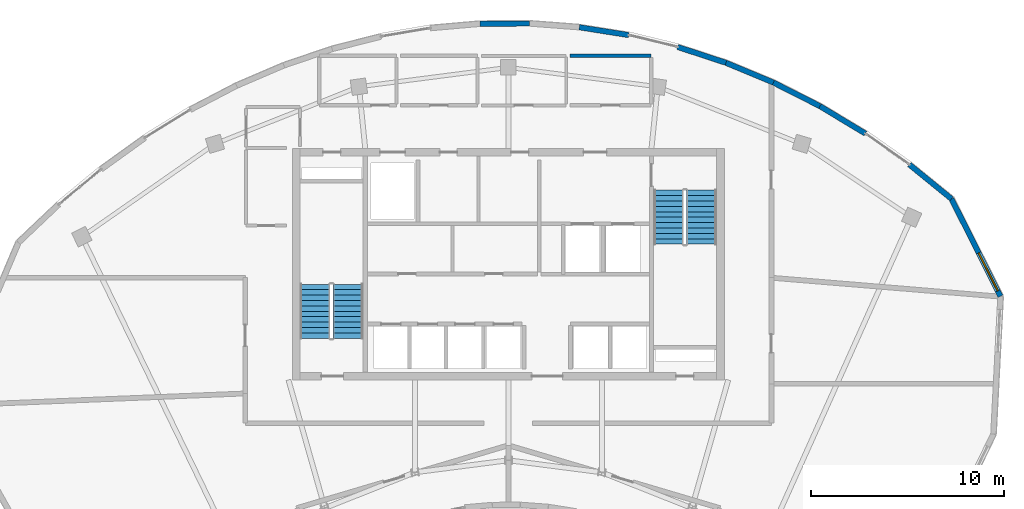
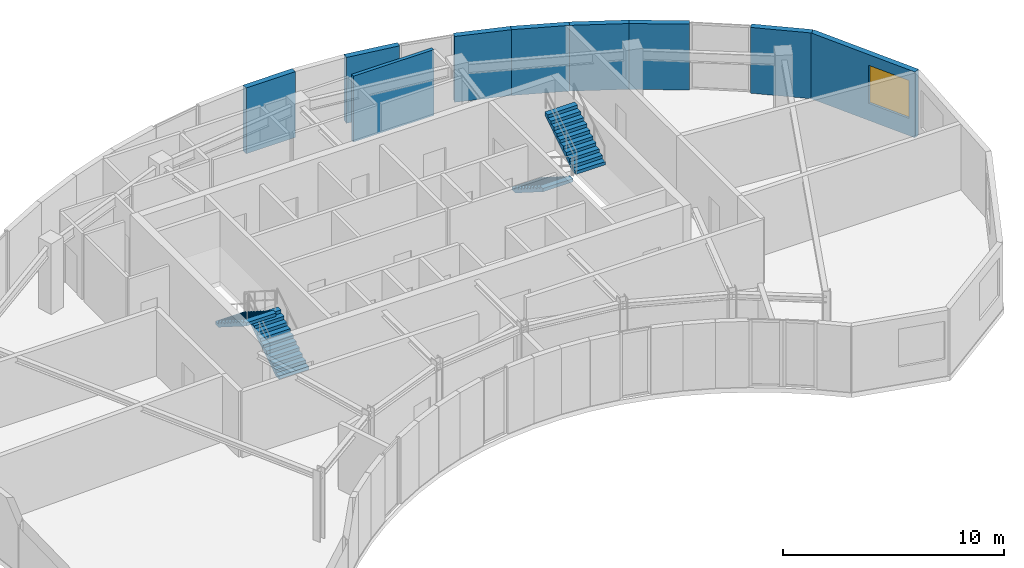
# One storey, part 8 of 9: 9 walls, 4 stair flights, 1 window, 1 opening, 2 elements without a shape of their own.
"""IFC4 building model written with IfcOpenShell, lengths in metres."""

from ifc_helpers import new_model, si_unit, direction, frame, frame_2d, origin, place, context, subcontext, project, spatial, polyline, rectangle, outline, extrude, source, transform, mapped, material, layer, layer_set, type_object, type_shapes, element, fill, aggregate, save


model = new_model("IFC4")

# Units and contexts
model_context = context("Model", 3, precision=1e-05, world=origin(), true_north=direction((0.0, 1.0)))
body_context = subcontext(model_context, "Body", "Model", "MODEL_VIEW")
ifc_project = project(units=[si_unit("LENGTHUNIT", "METRE"), si_unit("AREAUNIT", "SQUARE_METRE"), si_unit("VOLUMEUNIT", "CUBIC_METRE"), si_unit("PLANEANGLEUNIT", "RADIAN"), si_unit("MASSUNIT", "GRAM", prefix="KILO")], contexts=[model_context])

# Site, building, storey
site_placement = place(None, origin())
site = spatial("IfcSite", under=ifc_project, at=site_placement, CompositionType="ELEMENT")
building_placement = place(site_placement, origin())
building = spatial("IfcBuilding", under=site, at=building_placement, Name="Breltana Convention Tower", CompositionType="ELEMENT")
storey_placement = place(building_placement, frame((0.0, 0.0, 299.10009765625)))
storey = spatial("IfcBuildingStorey", under=building, at=storey_placement, Name="L73", CompositionType="ELEMENT", Elevation=299.10009765625)

# Wall, opening, window
ifc_material_1 = material(Name="Limestone Buff Insulated Wall", Category="masonry")
ifc_layer_1 = layer(ifc_material_1, 0.280029296875, Name="Limestone Buff Insulated Wall")
ifc_layer_set_1 = layer_set([ifc_layer_1], Name="Limestone Buff Insulated Wall")
wall_type_1 = type_object("IfcWallType", Name="WL-EXT-NOSE-280", PredefinedType="SOLIDWALL", material=ifc_layer_set_1)
shared_shape_1 = source(origin(), body_context, "Body", "SweptSolid", [
    extrude(rectangle(XDim=5.6533203125, YDim=0.280029296875, at=frame_2d((2.82666015625, 0.0))), origin(), (0.0, 0.0, 1.0), 3.639892578125),
])
wall_1_placement = place(storey_placement, frame((70.976318359375, 69.5908203125, 0.0), z_axis=(0.0, 0.0, 1.0), x_axis=(0.449302555419, -0.893379658205, 0.0)))
wall_1 = element("IfcWall", 1, at=wall_1_placement, inside=storey, type_object=wall_type_1, Name="L73 curved limestone nose wall E1", PredefinedType="SOLIDWALL", context=body_context, shape_type="MappedRepresentation", body=[
    mapped(shared_shape_1, transform((0.0, 0.0, 0.0), scale=1.0)),
])
opening_placement = place(wall_1_placement, frame((3.139892578125, 0.0, 0.949951171875)))
opening = element("IfcOpeningElement", 2, at=opening_placement, cuts=wall_1, Name="Opening W-03", PredefinedType="OPENING", context=body_context, shape_type="SweptSolid", body=[
    extrude(rectangle(XDim=2.199951171875, YDim=2.10009765625, at=frame_2d((1.10009765625, 1.050048828125))), frame((0.0, 0.14990234375, 0.0), z_axis=(0.0, -1.0, 0.0), x_axis=(1.0, 0.0, 0.0)), (0.0, 0.0, 1.0), 0.300048828125),
])
ifc_material_2 = material(Name="Glass Low-E Insulated Window", Category="glass")
window_type = type_object("IfcWindowType", Name="WN-NOSE-2200X2100", PartitioningType="TRIPLE_PANEL_VERTICAL", PredefinedType="WINDOW", material=ifc_material_2)
shared_shape_2 = source(origin(), body_context, "Body", "SweptSolid", [
    extrude(rectangle(XDim=2.199951171875, YDim=2.10009765625, at=frame_2d((1.10009765625, 1.050048828125))), frame((0.0, 0.030029296875, 0.0), z_axis=(0.0, -1.0, 0.0), x_axis=(1.0, 0.0, 0.0)), (0.0, 0.0, 1.0), 0.06005859375),
])
type_shapes(window_type, [shared_shape_2])
window_placement = place(opening_placement, origin())
window = element("IfcWindow", 3, at=window_placement, inside=storey, type_object=window_type, Name="L73 nose window E1", OverallHeight=2.10009765625, OverallWidth=2.199951171875, PartitioningType="TRIPLE_PANEL_VERTICAL", PredefinedType="WINDOW", context=body_context, shape_type="MappedRepresentation", body=[
    mapped(shared_shape_2, transform((0.0, 0.0, 0.0), scale=1.0)),
])
fill(opening, window)

# Walls
shared_shape_3 = source(origin(), body_context, "Body", "SweptSolid", [
    extrude(rectangle(XDim=2.578125, YDim=0.280029296875, at=frame_2d((1.2890625, 0.0))), origin(), (0.0, 0.0, 1.0), 3.639892578125),
])
wall_2_placement = place(storey_placement, frame((46.52685546875, 78.668212890625, 0.0), z_axis=(0.0, 0.0, 1.0), x_axis=(0.999982204439, 0.005965802924, 0.0)))
element("IfcWall", 4, at=wall_2_placement, inside=storey, type_object=wall_type_1, Name="L73 curved limestone nose wall E26", PredefinedType="SOLIDWALL", context=body_context, shape_type="MappedRepresentation", body=[
    mapped(shared_shape_3, transform((0.0, 0.0, 0.0), scale=1.0)),
])
shared_shape_4 = source(origin(), body_context, "Body", "SweptSolid", [
    extrude(rectangle(XDim=2.592529296875, YDim=0.280029296875, at=frame_2d((1.29638671875, 0.0))), origin(), (0.0, 0.0, 1.0), 3.639892578125),
])
wall_3_placement = place(storey_placement, frame((51.6787109375, 78.487548828125, 0.0), z_axis=(0.0, 0.0, 1.0), x_axis=(0.987661204406, -0.156605700126, 0.0)))
element("IfcWall", 5, at=wall_3_placement, inside=storey, type_object=wall_type_1, Name="L73 curved limestone nose wall E28", PredefinedType="SOLIDWALL", context=body_context, shape_type="MappedRepresentation", body=[
    mapped(shared_shape_4, transform((0.0, 0.0, 0.0), scale=1.0)),
])
shared_shape_5 = source(origin(), body_context, "Body", "SweptSolid", [
    extrude(rectangle(XDim=2.63623046875, YDim=0.280029296875, at=frame_2d((1.318115234375, 0.0))), origin(), (0.0, 0.0, 1.0), 3.639892578125),
])
wall_4_placement = place(storey_placement, frame((56.776611328125, 77.466796875, 0.0), z_axis=(0.0, 0.0, 1.0), x_axis=(0.950200321617, -0.311639774097, 0.0)))
element("IfcWall", 6, at=wall_4_placement, inside=storey, type_object=wall_type_1, Name="L73 curved limestone nose wall E29", PredefinedType="SOLIDWALL", context=body_context, shape_type="MappedRepresentation", body=[
    mapped(shared_shape_5, transform((0.0, 0.0, 0.0), scale=1.0)),
])
shared_shape_6 = source(origin(), body_context, "Body", "SweptSolid", [
    extrude(rectangle(XDim=2.668212890625, YDim=0.280029296875, at=frame_2d((1.333984375, 0.0))), origin(), (0.0, 0.0, 1.0), 3.639892578125),
])
wall_5_placement = place(storey_placement, frame((59.281494140625, 76.645263671875, 0.0), z_axis=(0.0, 0.0, 1.0), x_axis=(0.923290633029, -0.384102078828, 0.0)))
element("IfcWall", 7, at=wall_5_placement, inside=storey, type_object=wall_type_1, Name="L73 curved limestone nose wall E30", PredefinedType="SOLIDWALL", context=body_context, shape_type="MappedRepresentation", body=[
    mapped(shared_shape_6, transform((0.0, 0.0, 0.0), scale=1.0)),
])
shared_shape_7 = source(origin(), body_context, "Body", "SweptSolid", [
    extrude(rectangle(XDim=2.70556640625, YDim=0.280029296875, at=frame_2d((1.352783203125, 0.0))), origin(), (0.0, 0.0, 1.0), 3.639892578125),
])
wall_6_placement = place(storey_placement, frame((61.7451171875, 75.620361328125, 0.0), z_axis=(0.0, 0.0, 1.0), x_axis=(0.891648836287, -0.452727680564, 0.0)))
element("IfcWall", 8, at=wall_6_placement, inside=storey, type_object=wall_type_1, Name="L73 curved limestone nose wall E31", PredefinedType="SOLIDWALL", context=body_context, shape_type="MappedRepresentation", body=[
    mapped(shared_shape_7, transform((0.0, 0.0, 0.0), scale=1.0)),
])
shared_shape_8 = source(origin(), body_context, "Body", "SweptSolid", [
    extrude(rectangle(XDim=2.748291015625, YDim=0.280029296875, at=frame_2d((1.3740234375, 0.0))), origin(), (0.0, 0.0, 1.0), 3.639892578125),
])
wall_7_placement = place(storey_placement, frame((64.157470703125, 74.3955078125, 0.0), z_axis=(0.0, 0.0, 1.0), x_axis=(0.856149718453, -0.516727838996, 0.0)))
element("IfcWall", 9, at=wall_7_placement, inside=storey, type_object=wall_type_1, Name="L73 curved limestone nose wall E32", PredefinedType="SOLIDWALL", context=body_context, shape_type="MappedRepresentation", body=[
    mapped(shared_shape_8, transform((0.0, 0.0, 0.0), scale=1.0)),
])
shared_shape_9 = source(origin(), body_context, "Body", "SweptSolid", [
    extrude(rectangle(XDim=2.811767578125, YDim=0.280029296875, at=frame_2d((1.40576171875, 0.0))), origin(), (0.0, 0.0, 1.0), 3.639892578125),
])
wall_8_placement = place(storey_placement, frame((68.794677734375, 71.36474609375, 0.0), z_axis=(0.0, 0.0, 1.0), x_axis=(0.775880230716, -0.630880232361, 0.0)))
element("IfcWall", 10, at=wall_8_placement, inside=storey, type_object=wall_type_1, Name="L73 curved limestone nose wall E33", PredefinedType="SOLIDWALL", context=body_context, shape_type="MappedRepresentation", body=[
    mapped(shared_shape_9, transform((0.0, 0.0, 0.0), scale=1.0)),
])
ifc_material_3 = material(Name="Moisture-Resistant Gypsum Chase Wall")
ifc_layer_2 = layer(ifc_material_3, 0.179931640625, Name="Moisture-Resistant Gypsum Chase Wall")
ifc_layer_set_2 = layer_set([ifc_layer_2], Name="Moisture-Resistant Gypsum Chase Wall")
wall_type_2 = type_object("IfcWallType", Name="WL-PLUMB-180", PredefinedType="PLUMBINGWALL", material=ifc_layer_set_2)
shared_shape_10 = source(origin(), body_context, "Body", "SweptSolid", [
    extrude(rectangle(XDim=4.199951171875, YDim=0.179931640625, at=frame_2d((2.10009765625, 0.0))), origin(), (0.0, 0.0, 1.0), 3.639892578125),
])
wall_9_placement = place(storey_placement, frame((51.199951171875, 77.0, 0.0), z_axis=(0.0, 0.0, 1.0), x_axis=(1.0, 0.0, 0.0)))
element("IfcWall", 11, at=wall_9_placement, inside=storey, type_object=wall_type_2, Name="L73 interior partition W-L73-WCA-N", PredefinedType="PLUMBINGWALL", context=body_context, shape_type="MappedRepresentation", body=[
    mapped(shared_shape_10, transform((0.0, 0.0, 0.0), scale=1.0)),
])

# Stair, stair flights
ifc_material_4 = material(Name="Concrete C40/50", Category="concrete")
stair_type = type_object("IfcStairType", Name="ST-DOG-1560-R177", PredefinedType="HALF_TURN_STAIR", material=ifc_material_4)
stair_1_placement = place(storey_placement, origin())
stair_1 = element("IfcStair", 12, at=stair_1_placement, inside=storey, type_object=stair_type, Name="L73 Protected Core Exit Stair ST-1", PredefinedType="HALF_TURN_STAIR")
stair_flight_type = type_object("IfcStairFlightType", Name="STF-DOG-1560-N11-R177", PredefinedType="STRAIGHT", material=ifc_material_4)
stair_flight_1_placement = place(storey_placement, frame((39.68994140625, 62.360107421875, 0.0), z_axis=(0.0, 0.0, 1.0), x_axis=(0.0, 1.0, 0.0)))
stair_flight_1 = element("IfcStairFlight", 13, at=stair_flight_1_placement, type_object=stair_flight_type, Name="ST-1 flight 1", NumberOfRisers=11, NumberOfTreads=10, PredefinedType="STRAIGHT", RiserHeight=0.177272727, TreadLength=0.28, context=body_context, shape_type="SweptSolid", body=[
    extrude(outline(polyline([(0.0, 0.0), (0.0, 0.17724609375), (0.280029296875, 0.17724609375), (0.280029296875, 0.3544921875), (0.56005859375, 0.3544921875), (0.56005859375, 0.53173828125), (0.840087890625, 0.53173828125), (0.840087890625, 0.708984375), (1.1201171875, 0.708984375), (1.1201171875, 0.886474609375), (1.39990234375, 0.886474609375), (1.39990234375, 1.063720703125), (1.679931640625, 1.063720703125), (1.679931640625, 1.240966796875), (1.9599609375, 1.240966796875), (1.9599609375, 1.418212890625), (2.239990234375, 1.418212890625), (2.239990234375, 1.595458984375), (2.52001953125, 1.595458984375), (2.52001953125, 1.772705078125), (2.800048828125, 1.772705078125), (2.800048828125, 1.949951171875), (2.800048828125, 1.59521484375), (0.2802734375, 0.0), (0.0, 0.0)])), frame((0.0, 0.780029296875, 0.0), z_axis=(0.0, -1.0, 0.0), x_axis=(1.0, 0.0, 0.0)), (0.0, 0.0, 1.0), 1.56005859375),
])
stair_flight_2_placement = place(storey_placement, frame((37.97998046875, 65.159912109375, 1.949951171875), z_axis=(0.0, 0.0, 1.0), x_axis=(0.0, -1.0, 0.0)))
stair_flight_2 = element("IfcStairFlight", 14, at=stair_flight_2_placement, type_object=stair_flight_type, Name="ST-1 flight 2", NumberOfRisers=11, NumberOfTreads=10, PredefinedType="STRAIGHT", RiserHeight=0.177272727, TreadLength=0.28, context=body_context, shape_type="SweptSolid", body=[
    extrude(outline(polyline([(0.0, 0.0), (0.0, 0.17724609375), (0.280029296875, 0.17724609375), (0.280029296875, 0.3544921875), (0.56005859375, 0.3544921875), (0.56005859375, 0.53173828125), (0.840087890625, 0.53173828125), (0.840087890625, 0.708984375), (1.1201171875, 0.708984375), (1.1201171875, 0.886474609375), (1.39990234375, 0.886474609375), (1.39990234375, 1.063720703125), (1.679931640625, 1.063720703125), (1.679931640625, 1.240966796875), (1.9599609375, 1.240966796875), (1.9599609375, 1.418212890625), (2.239990234375, 1.418212890625), (2.239990234375, 1.595458984375), (2.52001953125, 1.595458984375), (2.52001953125, 1.772705078125), (2.800048828125, 1.772705078125), (2.800048828125, 1.949951171875), (2.800048828125, 1.59521484375), (0.2802734375, 0.0), (0.0, 0.0)])), frame((0.0, 0.780029296875, 0.0), z_axis=(0.0, -1.0, 0.0), x_axis=(1.0, 0.0, 0.0)), (0.0, 0.0, 1.0), 1.56005859375),
])
aggregate(stair_1, [stair_flight_1, stair_flight_2])

stair_2_placement = place(storey_placement, origin())
stair_2 = element("IfcStair", 15, at=stair_2_placement, inside=storey, type_object=stair_type, Name="L73 Protected Core Exit Stair ST-2", PredefinedType="HALF_TURN_STAIR")
stair_flight_3_placement = place(storey_placement, frame((56.31005859375, 70.0400390625, 0.0), z_axis=(0.0, 0.0, 1.0), x_axis=(0.0, -1.0, 0.0)))
stair_flight_3 = element("IfcStairFlight", 16, at=stair_flight_3_placement, type_object=stair_flight_type, Name="ST-2 flight 1", NumberOfRisers=11, NumberOfTreads=10, PredefinedType="STRAIGHT", RiserHeight=0.177272727, TreadLength=0.28, context=body_context, shape_type="SweptSolid", body=[
    extrude(outline(polyline([(0.0, 0.0), (0.0, 0.17724609375), (0.280029296875, 0.17724609375), (0.280029296875, 0.3544921875), (0.56005859375, 0.3544921875), (0.56005859375, 0.53173828125), (0.840087890625, 0.53173828125), (0.840087890625, 0.708984375), (1.1201171875, 0.708984375), (1.1201171875, 0.886474609375), (1.39990234375, 0.886474609375), (1.39990234375, 1.063720703125), (1.679931640625, 1.063720703125), (1.679931640625, 1.240966796875), (1.9599609375, 1.240966796875), (1.9599609375, 1.418212890625), (2.239990234375, 1.418212890625), (2.239990234375, 1.595458984375), (2.52001953125, 1.595458984375), (2.52001953125, 1.772705078125), (2.800048828125, 1.772705078125), (2.800048828125, 1.949951171875), (2.800048828125, 1.59521484375), (0.2802734375, 0.0), (0.0, 0.0)])), frame((0.0, 0.780029296875, 0.0), z_axis=(0.0, -1.0, 0.0), x_axis=(1.0, 0.0, 0.0)), (0.0, 0.0, 1.0), 1.56005859375),
])
stair_flight_4_placement = place(storey_placement, frame((58.02001953125, 67.239990234375, 1.949951171875), z_axis=(0.0, 0.0, 1.0), x_axis=(0.0, 1.0, 0.0)))
stair_flight_4 = element("IfcStairFlight", 17, at=stair_flight_4_placement, type_object=stair_flight_type, Name="ST-2 flight 2", NumberOfRisers=11, NumberOfTreads=10, PredefinedType="STRAIGHT", RiserHeight=0.177272727, TreadLength=0.28, context=body_context, shape_type="SweptSolid", body=[
    extrude(outline(polyline([(0.0, 0.0), (0.0, 0.17724609375), (0.280029296875, 0.17724609375), (0.280029296875, 0.3544921875), (0.56005859375, 0.3544921875), (0.56005859375, 0.53173828125), (0.840087890625, 0.53173828125), (0.840087890625, 0.708984375), (1.1201171875, 0.708984375), (1.1201171875, 0.886474609375), (1.39990234375, 0.886474609375), (1.39990234375, 1.063720703125), (1.679931640625, 1.063720703125), (1.679931640625, 1.240966796875), (1.9599609375, 1.240966796875), (1.9599609375, 1.418212890625), (2.239990234375, 1.418212890625), (2.239990234375, 1.595458984375), (2.52001953125, 1.595458984375), (2.52001953125, 1.772705078125), (2.800048828125, 1.772705078125), (2.800048828125, 1.949951171875), (2.800048828125, 1.59521484375), (0.2802734375, 0.0), (0.0, 0.0)])), frame((0.0, 0.780029296875, 0.0), z_axis=(0.0, -1.0, 0.0), x_axis=(1.0, 0.0, 0.0)), (0.0, 0.0, 1.0), 1.56005859375),
])
aggregate(stair_2, [stair_flight_3, stair_flight_4])

save(model, "model.ifc")
